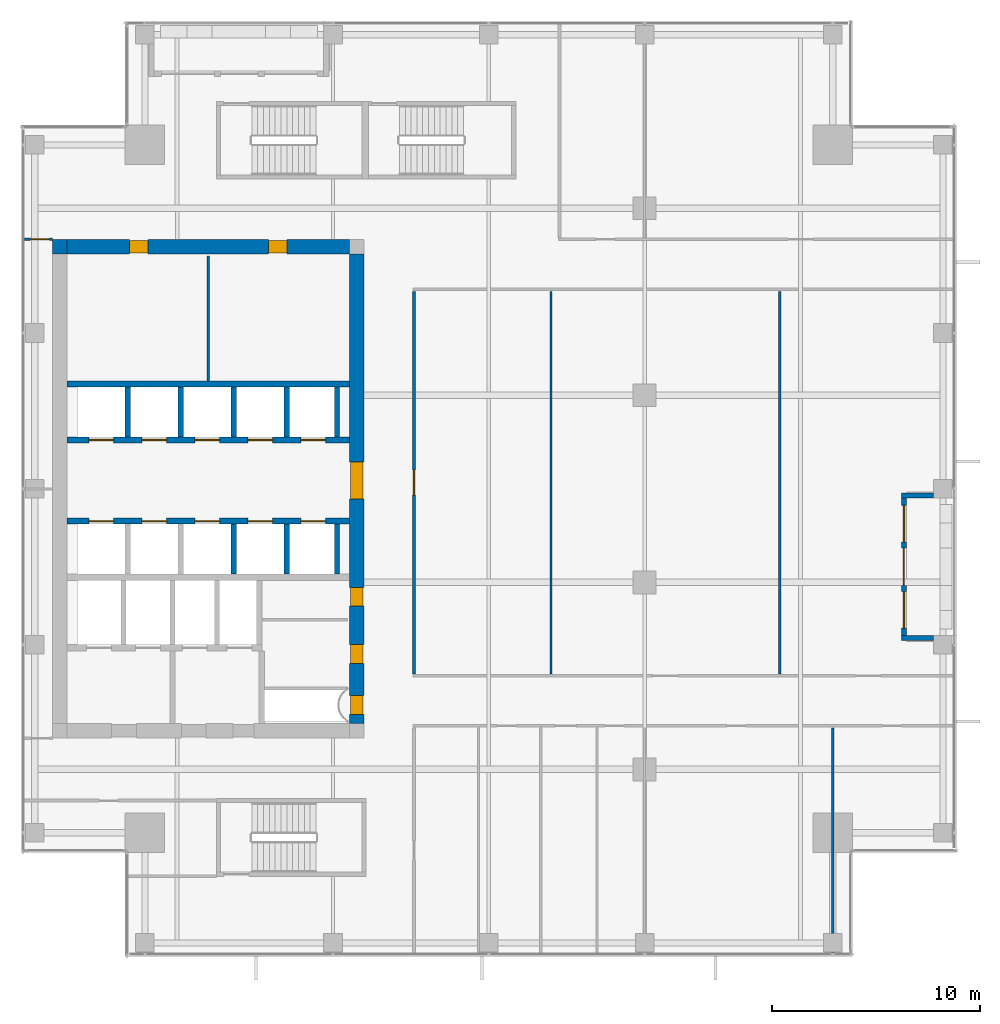
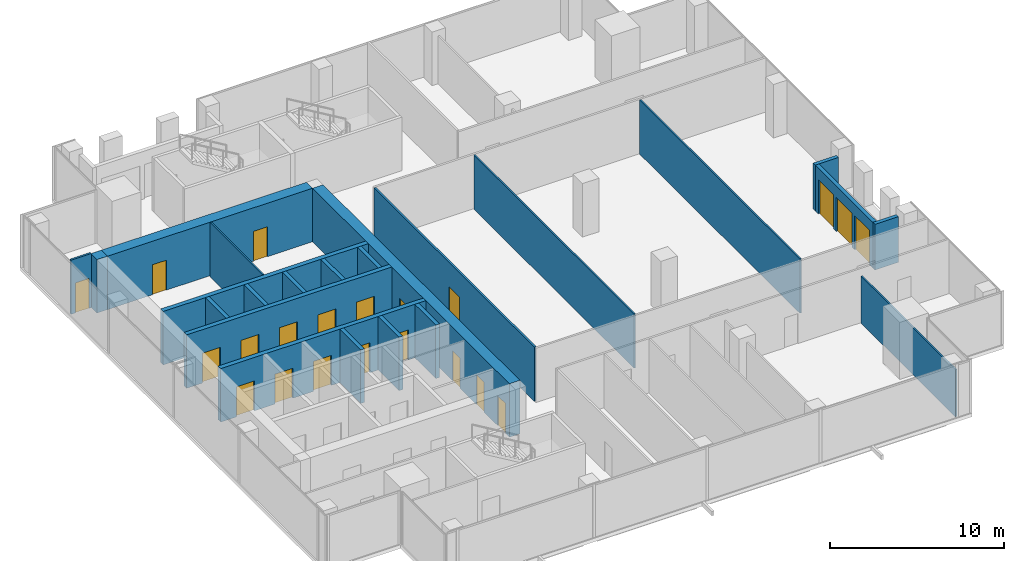
# One storey, part 32 of 36: 23 walls, 19 doors, 2 windows, 21 openings.
"""IFC4 building model written with IfcOpenShell, lengths in metres."""

from ifc_helpers import new_model, si_unit, direction, frame, frame_2d, origin, place, context, subcontext, project, spatial, rectangle, extrude, source, transform, mapped, material, layer, layer_set, type_object, element, fill, save


model = new_model("IFC4")

# Units and contexts
model_context = context("Model", 3, precision=1e-05, world=origin(), true_north=direction((0.0, 1.0)))
body_context = subcontext(model_context, "Body", "Model", "MODEL_VIEW")
ifc_project = project(units=[si_unit("LENGTHUNIT", "METRE"), si_unit("AREAUNIT", "SQUARE_METRE"), si_unit("VOLUMEUNIT", "CUBIC_METRE"), si_unit("PLANEANGLEUNIT", "RADIAN"), si_unit("MASSUNIT", "GRAM", prefix="KILO")], contexts=[model_context])

# Site, building, storey
site_placement = place(None, origin())
site = spatial("IfcSite", under=ifc_project, at=site_placement, CompositionType="ELEMENT")
building_placement = place(site_placement, origin())
building = spatial("IfcBuilding", under=site, at=building_placement, Name="Khomas Fold Tower", CompositionType="ELEMENT")
storey_placement = place(building_placement, frame((0.0, 0.0, 226.199951171875)))
storey = spatial("IfcBuildingStorey", under=building, at=storey_placement, Name="L50", CompositionType="ELEMENT", Elevation=226.199951171875)

# Walls
ifc_material_1 = material(Name="Concrete C50/60", Category="concrete")
ifc_layer_1 = layer(ifc_material_1, 0.25)
ifc_layer_set_1 = layer_set([ifc_layer_1], Name="Concrete C50/60")
wall_type_1 = type_object("IfcWallType", Name="Shaft wall 250", PredefinedType="STANDARD", material=ifc_layer_set_1)
shared_shape_1 = source(origin(), body_context, "Body", "SweptSolid", [
    extrude(rectangle(XDim=2.39990234375, YDim=0.25, at=frame_2d((1.199951171875, 0.0))), origin(), (0.0, 0.0, 1.0), 3.75),
])
for number, where, z_axis, x_axis, name in (
    (1, (17.27490234375, 29.5, 0.0), (0.0, 0.0, 1.0), (0.0, 1.0, 0.0), "Core wall SW-HRN-MR-P1"),
    (2, (19.699951171875, 29.5, 0.0), (0.0, 0.0, 1.0), (0.0, 1.0, 0.0), "Core wall SW-HRN-MR-PE"),
    (3, (9.625, 29.5, 0.0), (0.0, 0.0, 1.0), (0.0, 1.0, 0.0), "Core wall SW-HRN-P1"),
    (4, (12.175048828125, 29.5, 0.0), (0.0, 0.0, 1.0), (0.0, 1.0, 0.0), "Core wall SW-HRN-P2"),
    (5, (14.72509765625, 29.5, 0.0), (0.0, 0.0, 1.0), (0.0, 1.0, 0.0), "Core wall SW-HRN-PE"),
):
    element("IfcWall", number, at=place(storey_placement, frame(where, z_axis=z_axis, x_axis=x_axis)), inside=storey, type_object=wall_type_1, Name=name, PredefinedType="STANDARD", context=body_context, shape_type="MappedRepresentation", body=[
        mapped(shared_shape_1, transform((0.0, 0.0, 0.0))),
    ])
shared_shape_2 = source(origin(), body_context, "Body", "SweptSolid", [
    extrude(rectangle(XDim=2.400146484375, YDim=0.25, at=frame_2d((1.2001953125, 0.0))), origin(), (0.0, 0.0, 1.0), 3.75),
])
for number, where, z_axis, x_axis, name in (
    (6, (17.27490234375, 22.89990234375, 0.0), (0.0, 0.0, 1.0), (0.0, 1.0, 0.0), "Core wall SW-HRS-MR-P1"),
    (7, (19.699951171875, 22.89990234375, 0.0), (0.0, 0.0, 1.0), (0.0, 1.0, 0.0), "Core wall SW-HRS-MR-PE"),
    (8, (14.72509765625, 22.89990234375, 0.0), (0.0, 0.0, 1.0), (0.0, 1.0, 0.0), "Core wall SW-HRS-PE"),
):
    element("IfcWall", number, at=place(storey_placement, frame(where, z_axis=z_axis, x_axis=x_axis)), inside=storey, type_object=wall_type_1, Name=name, PredefinedType="STANDARD", context=body_context, shape_type="MappedRepresentation", body=[
        mapped(shared_shape_2, transform((0.0, 0.0, 0.0))),
    ])

# Wall, openings, doors
ifc_material_2 = material(Name="Concrete C60/75", Category="concrete")
ifc_layer_2 = layer(ifc_material_2, 0.699951171875)
ifc_layer_set_2 = layer_set([ifc_layer_2], Name="Concrete C60/75")
wall_type_2 = type_object("IfcWallType", Name="Core wall 700", PredefinedType="SHEAR", material=ifc_layer_set_2)
shared_shape_3 = source(origin(), body_context, "Body", "SweptSolid", [
    extrude(rectangle(XDim=13.60009765625, YDim=0.699951171875, at=frame_2d((6.800048828125, 0.0))), origin(), (0.0, 0.0, 1.0), 3.75),
])
wall_1_placement = place(storey_placement, frame((6.699951171875, 38.64990234375, 0.0), z_axis=(0.0, 0.0, 1.0), x_axis=(1.0, 0.0, 0.0)))
wall_1 = element("IfcWall", 9, at=wall_1_placement, inside=storey, type_object=wall_type_2, Name="Core wall CW-U-N-L49", PredefinedType="SHEAR", context=body_context, shape_type="MappedRepresentation", body=[
    mapped(shared_shape_3, transform((0.0, 0.0, 0.0))),
])
shared_shape_4 = source(origin(), body_context, "Body", "SweptSolid", [
    extrude(rectangle(XDim=0.89990234375, YDim=2.10009765625, at=frame_2d((0.449951171875, 1.050048828125))), frame((0.0, 0.35986328125, 0.0), z_axis=(0.0, -1.0, 0.0), x_axis=(1.0, 0.0, 0.0)), (0.0, 0.0, 1.0), 0.719970703125),
])
opening_1_placement = place(wall_1_placement, frame((3.0, 0.0, 0.0)))
opening_1 = element("IfcOpeningElement", 10, at=opening_1_placement, cuts=wall_1, Name="Opening 0008", PredefinedType="OPENING", context=body_context, shape_type="MappedRepresentation", body=[
    mapped(shared_shape_4, transform((0.0, 0.0, 0.0))),
])
opening_2_placement = place(wall_1_placement, frame((9.699951171875, 0.0, 0.0)))
opening_2 = element("IfcOpeningElement", 11, at=opening_2_placement, cuts=wall_1, Name="Opening 0008", PredefinedType="OPENING", context=body_context, shape_type="MappedRepresentation", body=[
    mapped(shared_shape_4, transform((0.0, 0.0, 0.0))),
])
ifc_material_3 = material(Name="Timber door leaf", Category="wood")
door_type_1 = type_object("IfcDoorType", Name="Door 900x2100 right-hand", OperationType="SINGLE_SWING_RIGHT", PredefinedType="DOOR", material=ifc_material_3)
shared_shape_5 = source(origin(), body_context, "Body", "SweptSolid", [
    extrude(rectangle(XDim=0.89990234375, YDim=2.10009765625, at=frame_2d((0.449951171875, 1.050048828125))), frame((0.0, 0.2998046875, 0.0), z_axis=(0.0, -1.0, 0.0), x_axis=(1.0, 0.0, 0.0)), (0.0, 0.0, 1.0), 0.599853515625),
])
door_1_placement = place(opening_1_placement, origin())
door_1 = element("IfcDoor", 12, at=door_1_placement, inside=storey, type_object=door_type_1, Name="Door", OperationType="SINGLE_SWING_RIGHT", OverallHeight=2.10009765625, OverallWidth=0.89990234375, PredefinedType="DOOR", context=body_context, shape_type="MappedRepresentation", body=[
    mapped(shared_shape_5, transform((0.0, 0.0, 0.0))),
])
fill(opening_1, door_1)
door_2_placement = place(opening_2_placement, origin())
door_2 = element("IfcDoor", 13, at=door_2_placement, inside=storey, type_object=door_type_1, Name="Door", OperationType="SINGLE_SWING_RIGHT", OverallHeight=2.10009765625, OverallWidth=0.89990234375, PredefinedType="DOOR", context=body_context, shape_type="MappedRepresentation", body=[
    mapped(shared_shape_5, transform((0.0, 0.0, 0.0))),
])
fill(opening_2, door_2)

# Wall
ifc_material_4 = material(Name="Concrete C60/75", Category="concrete")
ifc_layer_3 = layer(ifc_material_4, 0.699951171875)
ifc_layer_set_3 = layer_set([ifc_layer_3], Name="Concrete C60/75")
wall_type_3 = type_object("IfcWallType", Name="Core corner wall 700", PredefinedType="SHEAR", material=ifc_layer_set_3)
shared_shape_6 = source(origin(), body_context, "Body", "SweptSolid", [
    extrude(rectangle(XDim=0.699951171875, YDim=0.699951171875, at=frame_2d((0.35009765625, 0.0))), origin(), (0.0, 0.0, 1.0), 3.75),
])
wall_2_placement = place(storey_placement, frame((6.0, 38.64990234375, 0.0), z_axis=(0.0, 0.0, 1.0), x_axis=(1.0, 0.0, 0.0)))
element("IfcWall", 14, at=wall_2_placement, inside=storey, type_object=wall_type_3, Name="Core wall CW-U-NW-L49", PredefinedType="SHEAR", context=body_context, shape_type="MappedRepresentation", body=[
    mapped(shared_shape_6, transform((0.0, 0.0, 0.0))),
])

# Wall, openings, doors
shared_shape_7 = source(origin(), body_context, "Body", "SweptSolid", [
    extrude(rectangle(XDim=22.60009765625, YDim=0.699951171875, at=frame_2d((11.300048828125, 0.0))), origin(), (0.0, 0.0, 1.0), 3.75),
])
wall_3_placement = place(storey_placement, frame((20.64990234375, 15.699951171875, 0.0), z_axis=(0.0, 0.0, 1.0), x_axis=(0.0, 1.0, 0.0)))
wall_3 = element("IfcWall", 15, at=wall_3_placement, inside=storey, type_object=wall_type_2, Name="Core wall CW-U-E-L49", PredefinedType="SHEAR", context=body_context, shape_type="MappedRepresentation", body=[
    mapped(shared_shape_7, transform((0.0, 0.0, 0.0))),
])
shared_shape_8 = source(origin(), body_context, "Body", "SweptSolid", [
    extrude(rectangle(XDim=1.800048828125, YDim=2.10009765625, at=frame_2d((0.89990234375, 1.050048828125))), frame((0.0, 0.35986328125, 0.0), z_axis=(0.0, -1.0, 0.0), x_axis=(1.0, 0.0, 0.0)), (0.0, 0.0, 1.0), 0.719970703125),
])
opening_3_placement = place(wall_3_placement, frame((10.800048828125, 0.0, 0.0)))
opening_3 = element("IfcOpeningElement", 16, at=opening_3_placement, cuts=wall_3, Name="Opening 0015", PredefinedType="OPENING", context=body_context, shape_type="MappedRepresentation", body=[
    mapped(shared_shape_8, transform((0.0, 0.0, 0.0))),
])
opening_4_placement = place(wall_3_placement, frame((0.449951171875, 0.0, 0.0)))
opening_4 = element("IfcOpeningElement", 17, at=opening_4_placement, cuts=wall_3, Name="Opening 0003", PredefinedType="OPENING", context=body_context, shape_type="MappedRepresentation", body=[
    mapped(shared_shape_4, transform((0.0, 0.0, 0.0))),
])
opening_5_placement = place(wall_3_placement, frame((2.89990234375, 0.0, 0.0)))
opening_5 = element("IfcOpeningElement", 18, at=opening_5_placement, cuts=wall_3, Name="Opening 0008", PredefinedType="OPENING", context=body_context, shape_type="MappedRepresentation", body=[
    mapped(shared_shape_4, transform((0.0, 0.0, 0.0))),
])
opening_6_placement = place(wall_3_placement, frame((5.64990234375, 0.0, 0.0)))
opening_6 = element("IfcOpeningElement", 19, at=opening_6_placement, cuts=wall_3, Name="Opening 0008", PredefinedType="OPENING", context=body_context, shape_type="MappedRepresentation", body=[
    mapped(shared_shape_4, transform((0.0, 0.0, 0.0))),
])
ifc_material_5 = material(Name="Steel door leaf", Category="steel")
door_type_2 = type_object("IfcDoorType", Name="Lobby door 1800x2100", OperationType="DOUBLE_DOOR_SINGLE_SWING", PredefinedType="DOOR", material=ifc_material_5)
shared_shape_9 = source(origin(), body_context, "Body", "SweptSolid", [
    extrude(rectangle(XDim=1.800048828125, YDim=2.10009765625, at=frame_2d((0.89990234375, 1.050048828125))), frame((0.0, 0.2998046875, 0.0), z_axis=(0.0, -1.0, 0.0), x_axis=(1.0, 0.0, 0.0)), (0.0, 0.0, 1.0), 0.599853515625),
])
door_3_placement = place(opening_3_placement, origin())
door_3 = element("IfcDoor", 20, at=door_3_placement, inside=storey, type_object=door_type_2, Name="Lobby door", OperationType="DOUBLE_DOOR_SINGLE_SWING", OverallHeight=2.10009765625, OverallWidth=1.800048828125, PredefinedType="DOOR", context=body_context, shape_type="MappedRepresentation", body=[
    mapped(shared_shape_9, transform((0.0, 0.0, 0.0))),
])
fill(opening_3, door_3)
ifc_material_6 = material(Name="Steel door leaf", Category="steel")
door_type_3 = type_object("IfcDoorType", Name="Plant room door 900x2100 right-hand", OperationType="SINGLE_SWING_RIGHT", PredefinedType="DOOR", material=ifc_material_6)
door_4_placement = place(opening_4_placement, origin())
door_4 = element("IfcDoor", 21, at=door_4_placement, inside=storey, type_object=door_type_3, Name="Plant room door", OperationType="SINGLE_SWING_RIGHT", OverallHeight=2.10009765625, OverallWidth=0.89990234375, PredefinedType="DOOR", context=body_context, shape_type="MappedRepresentation", body=[
    mapped(shared_shape_5, transform((0.0, 0.0, 0.0))),
])
fill(opening_4, door_4)
door_5_placement = place(opening_5_placement, origin())
door_5 = element("IfcDoor", 22, at=door_5_placement, inside=storey, type_object=door_type_1, Name="Door", OperationType="SINGLE_SWING_RIGHT", OverallHeight=2.10009765625, OverallWidth=0.89990234375, PredefinedType="DOOR", context=body_context, shape_type="MappedRepresentation", body=[
    mapped(shared_shape_5, transform((0.0, 0.0, 0.0))),
])
fill(opening_5, door_5)
door_6_placement = place(opening_6_placement, origin())
door_6 = element("IfcDoor", 23, at=door_6_placement, inside=storey, type_object=door_type_1, Name="Door", OperationType="SINGLE_SWING_RIGHT", OverallHeight=2.10009765625, OverallWidth=0.89990234375, PredefinedType="DOOR", context=body_context, shape_type="MappedRepresentation", body=[
    mapped(shared_shape_5, transform((0.0, 0.0, 0.0))),
])
fill(opening_6, door_6)

# Wall
ifc_material_7 = material(Name="Concrete C50/60", Category="concrete")
ifc_layer_4 = layer(ifc_material_7, 0.300048828125)
ifc_layer_set_4 = layer_set([ifc_layer_4], Name="Concrete C50/60")
wall_type_4 = type_object("IfcWallType", Name="Shaft wall 300", PredefinedType="STANDARD", material=ifc_layer_set_4)
shared_shape_10 = source(origin(), body_context, "Body", "SweptSolid", [
    extrude(rectangle(XDim=13.60009765625, YDim=0.300048828125, at=frame_2d((6.800048828125, 0.0))), origin(), (0.0, 0.0, 1.0), 3.75),
])
wall_4_placement = place(storey_placement, frame((6.699951171875, 32.050048828125, 0.0), z_axis=(0.0, 0.0, 1.0), x_axis=(1.0, 0.0, 0.0)))
element("IfcWall", 24, at=wall_4_placement, inside=storey, type_object=wall_type_4, Name="Core wall SW-HRN-B", PredefinedType="STANDARD", context=body_context, shape_type="MappedRepresentation", body=[
    mapped(shared_shape_10, transform((0.0, 0.0, 0.0))),
])

# Wall, openings, doors
wall_5_placement = place(storey_placement, frame((6.699951171875, 29.35009765625, 0.0), z_axis=(0.0, 0.0, 1.0), x_axis=(1.0, 0.0, 0.0)))
wall_5 = element("IfcWall", 25, at=wall_5_placement, inside=storey, type_object=wall_type_4, Name="Core wall SW-HRN-F", PredefinedType="STANDARD", context=body_context, shape_type="MappedRepresentation", body=[
    mapped(shared_shape_10, transform((0.0, 0.0, 0.0))),
])
shared_shape_11 = source(origin(), body_context, "Body", "SweptSolid", [
    extrude(rectangle(XDim=1.199951171875, YDim=2.10009765625, at=frame_2d((0.60009765625, 1.050048828125))), frame((0.0, 0.159912109375, 0.0), z_axis=(0.0, -1.0, 0.0), x_axis=(1.0, 0.0, 0.0)), (0.0, 0.0, 1.0), 0.320068359375),
])
opening_7_placement = place(wall_5_placement, frame((1.050048828125, 0.0, 0.0)))
opening_7 = element("IfcOpeningElement", 26, at=opening_7_placement, cuts=wall_5, Name="Opening LD-HR4", PredefinedType="OPENING", context=body_context, shape_type="MappedRepresentation", body=[
    mapped(shared_shape_11, transform((0.0, 0.0, 0.0))),
])
opening_8_placement = place(wall_5_placement, frame((3.60009765625, 0.0, 0.0)))
opening_8 = element("IfcOpeningElement", 27, at=opening_8_placement, cuts=wall_5, Name="Opening LD-HR5", PredefinedType="OPENING", context=body_context, shape_type="MappedRepresentation", body=[
    mapped(shared_shape_11, transform((0.0, 0.0, 0.0))),
])
opening_9_placement = place(wall_5_placement, frame((6.14990234375, 0.0, 0.0)))
opening_9 = element("IfcOpeningElement", 28, at=opening_9_placement, cuts=wall_5, Name="Opening LD-HR6", PredefinedType="OPENING", context=body_context, shape_type="MappedRepresentation", body=[
    mapped(shared_shape_11, transform((0.0, 0.0, 0.0))),
])
opening_10_placement = place(wall_5_placement, frame((8.699951171875, 0.0, 0.0)))
opening_10 = element("IfcOpeningElement", 29, at=opening_10_placement, cuts=wall_5, Name="Opening LD-MR3", PredefinedType="OPENING", context=body_context, shape_type="MappedRepresentation", body=[
    mapped(shared_shape_11, transform((0.0, 0.0, 0.0))),
])
opening_11_placement = place(wall_5_placement, frame((11.25, 0.0, 0.0)))
opening_11 = element("IfcOpeningElement", 30, at=opening_11_placement, cuts=wall_5, Name="Opening LD-MR4", PredefinedType="OPENING", context=body_context, shape_type="MappedRepresentation", body=[
    mapped(shared_shape_11, transform((0.0, 0.0, 0.0))),
])
ifc_material_8 = material(Name="Steel door leaf", Category="steel")
door_type_4 = type_object("IfcDoorType", Name="Landing door 1200x2100", OperationType="DOUBLE_DOOR_SLIDING", PredefinedType="DOOR", material=ifc_material_8)
shared_shape_12 = source(origin(), body_context, "Body", "SweptSolid", [
    extrude(rectangle(XDim=1.199951171875, YDim=2.10009765625, at=frame_2d((0.60009765625, 1.050048828125))), frame((0.0, 0.02490234375, 0.0), z_axis=(0.0, -1.0, 0.0), x_axis=(1.0, 0.0, 0.0)), (0.0, 0.0, 1.0), 0.050048828125),
])
door_7_placement = place(opening_7_placement, origin())
door_7 = element("IfcDoor", 31, at=door_7_placement, inside=storey, type_object=door_type_4, Name="Lift landing door", OperationType="DOUBLE_DOOR_SLIDING", OverallHeight=2.10009765625, OverallWidth=1.199951171875, PredefinedType="DOOR", context=body_context, shape_type="MappedRepresentation", body=[
    mapped(shared_shape_12, transform((0.0, 0.0, 0.0))),
])
fill(opening_7, door_7)
door_8_placement = place(opening_8_placement, origin())
door_8 = element("IfcDoor", 32, at=door_8_placement, inside=storey, type_object=door_type_4, Name="Lift landing door", OperationType="DOUBLE_DOOR_SLIDING", OverallHeight=2.10009765625, OverallWidth=1.199951171875, PredefinedType="DOOR", context=body_context, shape_type="MappedRepresentation", body=[
    mapped(shared_shape_12, transform((0.0, 0.0, 0.0))),
])
fill(opening_8, door_8)
door_9_placement = place(opening_9_placement, origin())
door_9 = element("IfcDoor", 33, at=door_9_placement, inside=storey, type_object=door_type_4, Name="Lift landing door", OperationType="DOUBLE_DOOR_SLIDING", OverallHeight=2.10009765625, OverallWidth=1.199951171875, PredefinedType="DOOR", context=body_context, shape_type="MappedRepresentation", body=[
    mapped(shared_shape_12, transform((0.0, 0.0, 0.0))),
])
fill(opening_9, door_9)
door_10_placement = place(opening_10_placement, origin())
door_10 = element("IfcDoor", 34, at=door_10_placement, inside=storey, type_object=door_type_4, Name="Lift landing door", OperationType="DOUBLE_DOOR_SLIDING", OverallHeight=2.10009765625, OverallWidth=1.199951171875, PredefinedType="DOOR", context=body_context, shape_type="MappedRepresentation", body=[
    mapped(shared_shape_12, transform((0.0, 0.0, 0.0))),
])
fill(opening_10, door_10)
door_11_placement = place(opening_11_placement, origin())
door_11 = element("IfcDoor", 35, at=door_11_placement, inside=storey, type_object=door_type_4, Name="Lift landing door", OperationType="DOUBLE_DOOR_SLIDING", OverallHeight=2.10009765625, OverallWidth=1.199951171875, PredefinedType="DOOR", context=body_context, shape_type="MappedRepresentation", body=[
    mapped(shared_shape_12, transform((0.0, 0.0, 0.0))),
])
fill(opening_11, door_11)

wall_6_placement = place(storey_placement, frame((6.699951171875, 25.449951171875, 0.0), z_axis=(0.0, 0.0, 1.0), x_axis=(1.0, 0.0, 0.0)))
wall_6 = element("IfcWall", 36, at=wall_6_placement, inside=storey, type_object=wall_type_4, Name="Core wall SW-HRS-F", PredefinedType="STANDARD", context=body_context, shape_type="MappedRepresentation", body=[
    mapped(shared_shape_10, transform((0.0, 0.0, 0.0))),
])
opening_12_placement = place(wall_6_placement, frame((1.050048828125, 0.0, 0.0)))
opening_12 = element("IfcOpeningElement", 37, at=opening_12_placement, cuts=wall_6, Name="Opening LD-HR1", PredefinedType="OPENING", context=body_context, shape_type="MappedRepresentation", body=[
    mapped(shared_shape_11, transform((0.0, 0.0, 0.0))),
])
opening_13_placement = place(wall_6_placement, frame((3.60009765625, 0.0, 0.0)))
opening_13 = element("IfcOpeningElement", 38, at=opening_13_placement, cuts=wall_6, Name="Opening LD-HR2", PredefinedType="OPENING", context=body_context, shape_type="MappedRepresentation", body=[
    mapped(shared_shape_11, transform((0.0, 0.0, 0.0))),
])
opening_14_placement = place(wall_6_placement, frame((6.14990234375, 0.0, 0.0)))
opening_14 = element("IfcOpeningElement", 39, at=opening_14_placement, cuts=wall_6, Name="Opening LD-HR3", PredefinedType="OPENING", context=body_context, shape_type="MappedRepresentation", body=[
    mapped(shared_shape_11, transform((0.0, 0.0, 0.0))),
])
opening_15_placement = place(wall_6_placement, frame((8.699951171875, 0.0, 0.0)))
opening_15 = element("IfcOpeningElement", 40, at=opening_15_placement, cuts=wall_6, Name="Opening LD-MR1", PredefinedType="OPENING", context=body_context, shape_type="MappedRepresentation", body=[
    mapped(shared_shape_11, transform((0.0, 0.0, 0.0))),
])
opening_16_placement = place(wall_6_placement, frame((11.25, 0.0, 0.0)))
opening_16 = element("IfcOpeningElement", 41, at=opening_16_placement, cuts=wall_6, Name="Opening LD-MR2", PredefinedType="OPENING", context=body_context, shape_type="MappedRepresentation", body=[
    mapped(shared_shape_11, transform((0.0, 0.0, 0.0))),
])
door_12_placement = place(opening_12_placement, origin())
door_12 = element("IfcDoor", 42, at=door_12_placement, inside=storey, type_object=door_type_4, Name="Lift landing door", OperationType="DOUBLE_DOOR_SLIDING", OverallHeight=2.10009765625, OverallWidth=1.199951171875, PredefinedType="DOOR", context=body_context, shape_type="MappedRepresentation", body=[
    mapped(shared_shape_12, transform((0.0, 0.0, 0.0))),
])
fill(opening_12, door_12)
door_13_placement = place(opening_13_placement, origin())
door_13 = element("IfcDoor", 43, at=door_13_placement, inside=storey, type_object=door_type_4, Name="Lift landing door", OperationType="DOUBLE_DOOR_SLIDING", OverallHeight=2.10009765625, OverallWidth=1.199951171875, PredefinedType="DOOR", context=body_context, shape_type="MappedRepresentation", body=[
    mapped(shared_shape_12, transform((0.0, 0.0, 0.0))),
])
fill(opening_13, door_13)
door_14_placement = place(opening_14_placement, origin())
door_14 = element("IfcDoor", 44, at=door_14_placement, inside=storey, type_object=door_type_4, Name="Lift landing door", OperationType="DOUBLE_DOOR_SLIDING", OverallHeight=2.10009765625, OverallWidth=1.199951171875, PredefinedType="DOOR", context=body_context, shape_type="MappedRepresentation", body=[
    mapped(shared_shape_12, transform((0.0, 0.0, 0.0))),
])
fill(opening_14, door_14)
door_15_placement = place(opening_15_placement, origin())
door_15 = element("IfcDoor", 45, at=door_15_placement, inside=storey, type_object=door_type_4, Name="Lift landing door", OperationType="DOUBLE_DOOR_SLIDING", OverallHeight=2.10009765625, OverallWidth=1.199951171875, PredefinedType="DOOR", context=body_context, shape_type="MappedRepresentation", body=[
    mapped(shared_shape_12, transform((0.0, 0.0, 0.0))),
])
fill(opening_15, door_15)
door_16_placement = place(opening_16_placement, origin())
door_16 = element("IfcDoor", 46, at=door_16_placement, inside=storey, type_object=door_type_4, Name="Lift landing door", OperationType="DOUBLE_DOOR_SLIDING", OverallHeight=2.10009765625, OverallWidth=1.199951171875, PredefinedType="DOOR", context=body_context, shape_type="MappedRepresentation", body=[
    mapped(shared_shape_12, transform((0.0, 0.0, 0.0))),
])
fill(opening_16, door_16)

# Wall, openings, door, windows
ifc_material_9 = material(Name="Natural stone", Category="masonry")
ifc_layer_5 = layer(ifc_material_9, 0.0400390625)
ifc_material_10 = material(Name="Mineral wool insulation", Category="insulation")
ifc_layer_6 = layer(ifc_material_10, 0.10009765625)
ifc_material_11 = material(Name="Masonry", Category="masonry")
ifc_layer_7 = layer(ifc_material_11, 0.110107421875)
ifc_layer_set_5 = layer_set([ifc_layer_5, ifc_layer_6, ifc_layer_7], Name="Stone-faced insulated masonry")
wall_type_5 = type_object("IfcWallType", Name="BL-Balcony wall", PredefinedType="SOLIDWALL", material=ifc_layer_set_5)
shared_shape_13 = source(origin(), body_context, "Body", "SweptSolid", [
    extrude(rectangle(XDim=6.60009765625, YDim=0.25, at=frame_2d((3.300048828125, 0.0))), origin(), (0.0, 0.0, 1.0), 3.199951171875),
])
wall_7_placement = place(storey_placement, frame((46.97509765625, 19.949951171875, 0.0), z_axis=(0.0, 0.0, 1.0), x_axis=(0.0, 1.0, 0.0)))
wall_7 = element("IfcWall", 47, at=wall_7_placement, inside=storey, type_object=wall_type_5, Name="Balcony wall BAL-L50-E2", PredefinedType="SOLIDWALL", context=body_context, shape_type="MappedRepresentation", body=[
    mapped(shared_shape_13, transform((0.0, 0.0, 0.0))),
])
shared_shape_14 = source(origin(), body_context, "Body", "SweptSolid", [
    extrude(rectangle(XDim=1.75, YDim=2.39990234375, at=frame_2d((0.875, 1.199951171875))), frame((0.0, 0.135009765625, 0.0), z_axis=(0.0, -1.0, 0.0), x_axis=(1.0, 0.0, 0.0)), (0.0, 0.0, 1.0), 0.27001953125),
])
opening_17_placement = place(wall_7_placement, frame((0.35009765625, 0.0, 0.0)))
opening_17 = element("IfcOpeningElement", 48, at=opening_17_placement, cuts=wall_7, Name="Opening BL-W3", PredefinedType="OPENING", context=body_context, shape_type="MappedRepresentation", body=[
    mapped(shared_shape_14, transform((0.0, 0.0, 0.0))),
])
opening_18_placement = place(wall_7_placement, frame((4.5, 0.0, 0.0)))
opening_18 = element("IfcOpeningElement", 49, at=opening_18_placement, cuts=wall_7, Name="Opening BL-W3", PredefinedType="OPENING", context=body_context, shape_type="MappedRepresentation", body=[
    mapped(shared_shape_14, transform((0.0, 0.0, 0.0))),
])
shared_shape_15 = source(origin(), body_context, "Body", "SweptSolid", [
    extrude(rectangle(XDim=1.800048828125, YDim=2.39990234375, at=frame_2d((0.89990234375, 1.199951171875))), frame((0.0, 0.135009765625, 0.0), z_axis=(0.0, -1.0, 0.0), x_axis=(1.0, 0.0, 0.0)), (0.0, 0.0, 1.0), 0.27001953125),
])
opening_19_placement = place(wall_7_placement, frame((2.39990234375, 0.0, 0.0)))
opening_19 = element("IfcOpeningElement", 50, at=opening_19_placement, cuts=wall_7, Name="Opening BD502", PredefinedType="OPENING", context=body_context, shape_type="MappedRepresentation", body=[
    mapped(shared_shape_15, transform((0.0, 0.0, 0.0))),
])
ifc_material_12 = material(Name="Aluminium framed double glazing", Category="aluminium")
door_type_5 = type_object("IfcDoorType", Name="BL-Glazed balcony door 1800 x 2400", OperationType="DOUBLE_DOOR_DOUBLE_SWING", PredefinedType="DOOR", material=ifc_material_12)
shared_shape_16 = source(origin(), body_context, "Body", "SweptSolid", [
    extrude(rectangle(XDim=1.800048828125, YDim=2.39990234375, at=frame_2d((0.89990234375, 1.199951171875))), frame((0.0, 0.02490234375, 0.0), z_axis=(0.0, -1.0, 0.0), x_axis=(1.0, 0.0, 0.0)), (0.0, 0.0, 1.0), 0.050048828125),
])
door_17_placement = place(opening_19_placement, origin())
door_17 = element("IfcDoor", 51, at=door_17_placement, inside=storey, type_object=door_type_5, Name="Balcony door BD502", OperationType="DOUBLE_DOOR_DOUBLE_SWING", OverallHeight=2.39990234375, OverallWidth=1.800048828125, PredefinedType="DOOR", context=body_context, shape_type="MappedRepresentation", body=[
    mapped(shared_shape_16, transform((0.0, 0.0, 0.0))),
])
fill(opening_19, door_17)
ifc_material_13 = material(Name="Aluminium framed double glazing", Category="aluminium")
window_type = type_object("IfcWindowType", Name="BL-Fixed glazing 1750 x 2400", PartitioningType="SINGLE_PANEL", PredefinedType="WINDOW", material=ifc_material_13)
shared_shape_17 = source(origin(), body_context, "Body", "SweptSolid", [
    extrude(rectangle(XDim=1.75, YDim=2.39990234375, at=frame_2d((0.875, 1.199951171875))), frame((0.0, 0.030029296875, 0.0), z_axis=(0.0, -1.0, 0.0), x_axis=(1.0, 0.0, 0.0)), (0.0, 0.0, 1.0), 0.06005859375),
])
window_1_placement = place(opening_17_placement, origin())
window_1 = element("IfcWindow", 52, at=window_1_placement, inside=storey, type_object=window_type, Name="Balcony glazing BAL-L50-E2-1", OverallHeight=2.39990234375, OverallWidth=1.75, PartitioningType="SINGLE_PANEL", PredefinedType="WINDOW", context=body_context, shape_type="MappedRepresentation", body=[
    mapped(shared_shape_17, transform((0.0, 0.0, 0.0))),
])
fill(opening_17, window_1)
window_2_placement = place(opening_18_placement, origin())
window_2 = element("IfcWindow", 53, at=window_2_placement, inside=storey, type_object=window_type, Name="Balcony glazing BAL-L50-E2-2", OverallHeight=2.39990234375, OverallWidth=1.75, PartitioningType="SINGLE_PANEL", PredefinedType="WINDOW", context=body_context, shape_type="MappedRepresentation", body=[
    mapped(shared_shape_17, transform((0.0, 0.0, 0.0))),
])
fill(opening_18, window_2)

# Walls
shared_shape_18 = source(origin(), body_context, "Body", "SweptSolid", [
    extrude(rectangle(XDim=1.5498046875, YDim=0.25, at=frame_2d((0.77490234375, 0.0))), origin(), (0.0, 0.0, 1.0), 3.199951171875),
])
for number, where, z_axis, x_axis, name in (
    (54, (48.39990234375, 19.824951171875, 0.0), (0.0, 0.0, 1.0), (-1.0, 0.0, 0.0), "Balcony return wall BAL-L50-E2-lo"),
    (55, (48.39990234375, 26.675048828125, 0.0), (0.0, 0.0, 1.0), (-1.0, 0.0, 0.0), "Balcony return wall BAL-L50-E2-hi"),
):
    element("IfcWall", number, at=place(storey_placement, frame(where, z_axis=z_axis, x_axis=x_axis)), inside=storey, type_object=wall_type_5, Name=name, PredefinedType="SOLIDWALL", context=body_context, shape_type="MappedRepresentation", body=[
        mapped(shared_shape_18, transform((0.0, 0.0, 0.0))),
    ])
ifc_material_14 = material(Name="Plasterboard partition")
ifc_layer_8 = layer(ifc_material_14, 0.10009765625)
ifc_layer_set_6 = layer_set([ifc_layer_8], Name="Plasterboard partition")
wall_type_6 = type_object("IfcWallType", Name="Partition PW1 100", PredefinedType="PARTITIONING", material=ifc_layer_set_6)
shared_shape_19 = source(origin(), body_context, "Body", "SweptSolid", [
    extrude(rectangle(XDim=6.0, YDim=0.10009765625, at=frame_2d((3.0, 0.0))), origin(), (0.0, 0.0, 1.0), 3.800048828125),
])
wall_8_placement = place(storey_placement, frame((13.5, 32.199951171875, 0.0), z_axis=(0.0, 0.0, 1.0), x_axis=(0.0, 1.0, 0.0)))
element("IfcWall", 56, at=wall_8_placement, inside=storey, type_object=wall_type_6, Name="Partition", PredefinedType="PARTITIONING", context=body_context, shape_type="MappedRepresentation", body=[
    mapped(shared_shape_19, transform((0.0, 0.0, 0.0))),
])
shared_shape_20 = source(origin(), body_context, "Body", "SweptSolid", [
    extrude(rectangle(XDim=10.85009765625, YDim=0.10009765625, at=frame_2d((5.425048828125, 0.0))), origin(), (0.0, 0.0, 1.0), 3.300048828125),
])
wall_9_placement = place(storey_placement, frame((43.550048828125, 4.64990234375, 0.0), z_axis=(0.0, 0.0, 1.0), x_axis=(0.0, 1.0, 0.0)))
element("IfcWall", 57, at=wall_9_placement, inside=storey, type_object=wall_type_6, Name="Partition", PredefinedType="PARTITIONING", context=body_context, shape_type="MappedRepresentation", body=[
    mapped(shared_shape_20, transform((0.0, 0.0, 0.0))),
])

# Wall, opening, door
ifc_material_15 = material(Name="Plasterboard partition")
ifc_layer_9 = layer(ifc_material_15, 0.125)
ifc_layer_set_7 = layer_set([ifc_layer_9], Name="Plasterboard partition")
wall_type_7 = type_object("IfcWallType", Name="Partition PW2 125", PredefinedType="PARTITIONING", material=ifc_layer_set_7)
shared_shape_21 = source(origin(), body_context, "Body", "SweptSolid", [
    extrude(rectangle(XDim=1.35009765625, YDim=0.125, at=frame_2d((0.675048828125, 0.0))), origin(), (0.0, 0.0, 1.0), 3.800048828125),
])
wall_10_placement = place(storey_placement, frame((4.64990234375, 39.0, 0.0), z_axis=(0.0, 0.0, 1.0), x_axis=(1.0, 0.0, 0.0)))
wall_10 = element("IfcWall", 58, at=wall_10_placement, inside=storey, type_object=wall_type_7, Name="Partition", PredefinedType="PARTITIONING", context=body_context, shape_type="MappedRepresentation", body=[
    mapped(shared_shape_21, transform((0.0, 0.0, 0.0))),
])
shared_shape_22 = source(origin(), body_context, "Body", "SweptSolid", [
    extrude(rectangle(XDim=0.89990234375, YDim=2.10009765625, at=frame_2d((0.449951171875, 1.050048828125))), frame((0.0, 0.072509765625, 0.0), z_axis=(0.0, -1.0, 0.0), x_axis=(1.0, 0.0, 0.0)), (0.0, 0.0, 1.0), 0.14501953125),
])
opening_20_placement = place(wall_10_placement, frame((0.300048828125, 0.0, 0.0)))
opening_20 = element("IfcOpeningElement", 59, at=opening_20_placement, cuts=wall_10, Name="Opening 0008", PredefinedType="OPENING", context=body_context, shape_type="MappedRepresentation", body=[
    mapped(shared_shape_22, transform((0.0, 0.0, 0.0))),
])
shared_shape_23 = source(origin(), body_context, "Body", "SweptSolid", [
    extrude(rectangle(XDim=0.89990234375, YDim=2.10009765625, at=frame_2d((0.449951171875, 1.050048828125))), frame((0.0, 0.02490234375, 0.0), z_axis=(0.0, -1.0, 0.0), x_axis=(1.0, 0.0, 0.0)), (0.0, 0.0, 1.0), 0.050048828125),
])
door_18_placement = place(opening_20_placement, origin())
door_18 = element("IfcDoor", 60, at=door_18_placement, inside=storey, type_object=door_type_1, Name="Door", OperationType="SINGLE_SWING_RIGHT", OverallHeight=2.10009765625, OverallWidth=0.89990234375, PredefinedType="DOOR", context=body_context, shape_type="MappedRepresentation", body=[
    mapped(shared_shape_23, transform((0.0, 0.0, 0.0))),
])
fill(opening_20, door_18)

shared_shape_24 = source(origin(), body_context, "Body", "SweptSolid", [
    extrude(rectangle(XDim=18.39990234375, YDim=0.125, at=frame_2d((9.199951171875, 0.0))), origin(), (0.0, 0.0, 1.0), 3.800048828125),
])
wall_11_placement = place(storey_placement, frame((23.39990234375, 18.10009765625, 0.0), z_axis=(0.0, 0.0, 1.0), x_axis=(0.0, 1.0, 0.0)))
wall_11 = element("IfcWall", 61, at=wall_11_placement, inside=storey, type_object=wall_type_7, Name="Partition", PredefinedType="PARTITIONING", context=body_context, shape_type="MappedRepresentation", body=[
    mapped(shared_shape_24, transform((0.0, 0.0, 0.0))),
])
shared_shape_25 = source(origin(), body_context, "Body", "SweptSolid", [
    extrude(rectangle(XDim=1.199951171875, YDim=2.10009765625, at=frame_2d((0.60009765625, 1.050048828125))), frame((0.0, 0.072509765625, 0.0), z_axis=(0.0, -1.0, 0.0), x_axis=(1.0, 0.0, 0.0)), (0.0, 0.0, 1.0), 0.14501953125),
])
opening_21_placement = place(wall_11_placement, frame((8.60009765625, 0.0, 0.0)))
opening_21 = element("IfcOpeningElement", 62, at=opening_21_placement, cuts=wall_11, Name="Opening 0001", PredefinedType="OPENING", context=body_context, shape_type="MappedRepresentation", body=[
    mapped(shared_shape_25, transform((0.0, 0.0, 0.0))),
])
ifc_material_16 = material(Name="Timber door leaf", Category="wood")
door_type_6 = type_object("IfcDoorType", Name="Door 1200x2100 right-hand", OperationType="SINGLE_SWING_RIGHT", PredefinedType="DOOR", material=ifc_material_16)
door_19_placement = place(opening_21_placement, origin())
door_19 = element("IfcDoor", 63, at=door_19_placement, inside=storey, type_object=door_type_6, Name="Door", OperationType="SINGLE_SWING_RIGHT", OverallHeight=2.10009765625, OverallWidth=1.199951171875, PredefinedType="DOOR", context=body_context, shape_type="MappedRepresentation", body=[
    mapped(shared_shape_12, transform((0.0, 0.0, 0.0))),
])
fill(opening_21, door_19)

# Walls
shared_shape_26 = source(origin(), body_context, "Body", "SweptSolid", [
    extrude(rectangle(XDim=18.39990234375, YDim=0.10009765625, at=frame_2d((9.199951171875, 0.0))), origin(), (0.0, 0.0, 1.0), 3.800048828125),
])
for number, where, z_axis, x_axis, name in (
    (64, (30.0, 18.10009765625, 0.0), (0.0, 0.0, 1.0), (0.0, 1.0, 0.0), "Partition"),
    (65, (41.0, 18.10009765625, 0.0), (0.0, 0.0, 1.0), (0.0, 1.0, 0.0), "Partition"),
):
    element("IfcWall", number, at=place(storey_placement, frame(where, z_axis=z_axis, x_axis=x_axis)), inside=storey, type_object=wall_type_6, Name=name, PredefinedType="PARTITIONING", context=body_context, shape_type="MappedRepresentation", body=[
        mapped(shared_shape_26, transform((0.0, 0.0, 0.0))),
    ])

save(model, "model.ifc")
